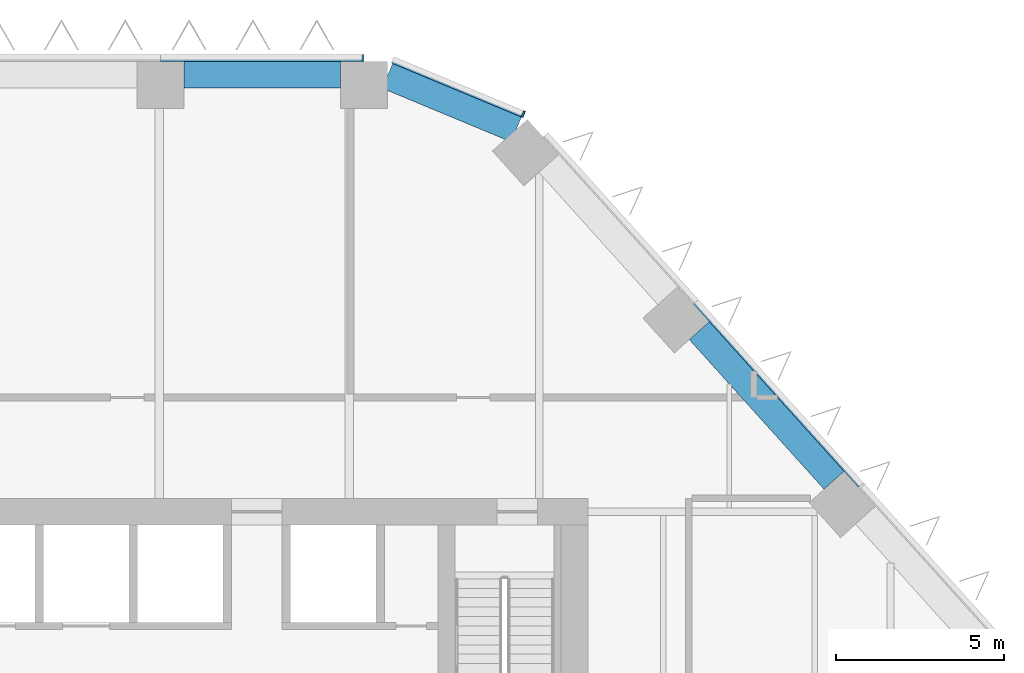
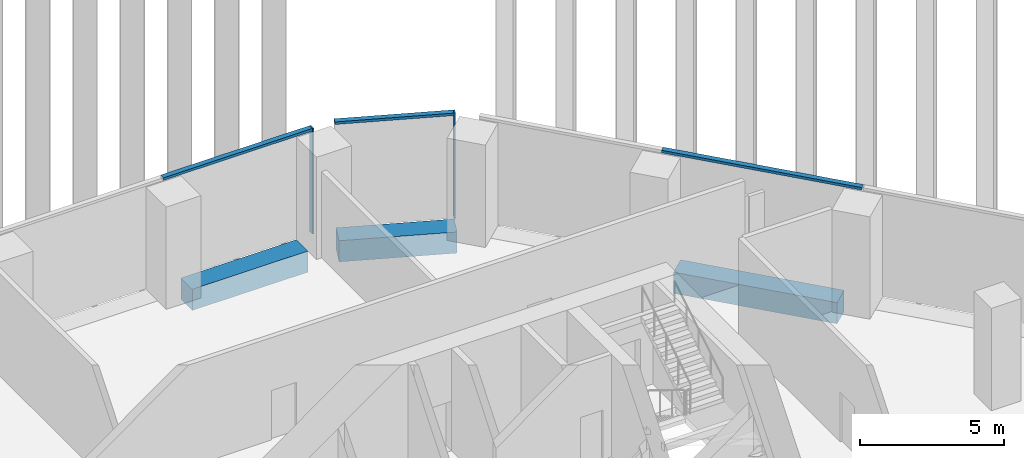
# One storey, part 9 of 18: 5 members, 3 beams, 3 elements without a shape of their own.
"""IFC4 building model written with IfcOpenShell, lengths in metres."""

from ifc_helpers import new_model, si_unit, direction, frame, origin, origin_2d, place, context, subcontext, project, spatial, rectangle, extrude, material, layer, layer_set, material_profile, profile_set, type_object, element, aggregate, save


model = new_model("IFC4")

# Units and contexts
model_context = context("Model", 3, precision=1e-05, world=origin(), true_north=direction((0.0, 1.0)))
body_context = subcontext(model_context, "Body", "Model", "MODEL_VIEW")
ifc_project = project(units=[si_unit("LENGTHUNIT", "METRE"), si_unit("AREAUNIT", "SQUARE_METRE"), si_unit("VOLUMEUNIT", "CUBIC_METRE"), si_unit("PLANEANGLEUNIT", "RADIAN"), si_unit("MASSUNIT", "GRAM", prefix="KILO")], contexts=[model_context])

# Site, building, storey
site_placement = place(None, origin())
site = spatial("IfcSite", under=ifc_project, at=site_placement, CompositionType="ELEMENT")
building_placement = place(site_placement, origin())
building = spatial("IfcBuilding", under=site, at=building_placement, Name="Isthmus Gate Tower", CompositionType="ELEMENT")
storey_placement = place(building_placement, frame((0.0, 0.0, 166.300048828125)))
storey = spatial("IfcBuildingStorey", under=building, at=storey_placement, Name="L41", CompositionType="ELEMENT", Elevation=166.300048828125)

# Curtain wall, member
ifc_material_1 = material(Name="Aluminium, pale champagne anodised", Category="aluminium")
ifc_layer = layer(ifc_material_1, 0.199951171875)
ifc_layer_set = layer_set([ifc_layer], Name="CW-2 LOUVRE CURTAIN WALL 200 DEEP")
curtain_wall_type = type_object("IfcCurtainWallType", Name="CW-2 LOUVRE CURTAIN WALL 200 DEEP", PredefinedType="NOTDEFINED", material=ifc_layer_set)
curtain_wall_1_placement = place(storey_placement, origin())
curtain_wall_1 = element("IfcCurtainWall", 1, at=curtain_wall_1_placement, inside=storey, type_object=curtain_wall_type, Name="CW-2 N L41", PredefinedType="NOTDEFINED")
ifc_material_2 = material(Name="Aluminium, pale champagne anodised", Category="aluminium")
ifc_material_profile_1 = material_profile(ifc_material_2, rectangle(XDim=0.06005859375, YDim=0.199951171875, at=origin_2d()), Name="60x200")
ifc_profile_set_1 = profile_set([ifc_material_profile_1], Name="Aluminium, pale champagne anodised")
member_type_1 = type_object("IfcMemberType", Name="CW-2 MULLION 60 X 200", PredefinedType="MULLION", material=ifc_profile_set_1)
member_1_placement = place(storey_placement, frame((8.30859375, 28.10009765625, 0.0), z_axis=(0.0, 0.0, 1.0), x_axis=(-1.0, 0.0, 0.0)))
member_1 = element("IfcMember", 2, at=member_1_placement, type_object=member_type_1, Name="CW-2 mullion", PredefinedType="MULLION", context=body_context, shape_type="SweptSolid", body=[
    extrude(rectangle(XDim=0.06005859375, YDim=0.199951171875, at=origin_2d()), origin(), (0.0, 0.0, 1.0), 4.5),
])

curtain_wall_2_placement = place(storey_placement, origin())
curtain_wall_2 = element("IfcCurtainWall", 3, at=curtain_wall_2_placement, inside=storey, type_object=curtain_wall_type, Name="CW-2 NE-N L41", PredefinedType="NOTDEFINED")
member_2_placement = place(storey_placement, frame((13.080810546875, 26.427490234375, 0.0), z_axis=(0.0, 0.0, 1.0), x_axis=(-0.923353128387, 0.383951820282, 0.0)))
member_2 = element("IfcMember", 4, at=member_2_placement, type_object=member_type_1, Name="CW-2 mullion", PredefinedType="MULLION", context=body_context, shape_type="SweptSolid", body=[
    extrude(rectangle(XDim=0.06005859375, YDim=0.199951171875, at=origin_2d()), origin(), (0.0, 0.0, 1.0), 4.5),
])

# Member
ifc_material_3 = material(Name="Aluminium, pale champagne anodised", Category="aluminium")
ifc_material_profile_2 = material_profile(ifc_material_3, rectangle(XDim=0.199951171875, YDim=0.110107421875, at=origin_2d()), Name="200x110")
ifc_profile_set_2 = profile_set([ifc_material_profile_2], Name="Aluminium, pale champagne anodised")
member_type_2 = type_object("IfcMemberType", Name="CW-2 TRANSOM 200 X 110", PredefinedType="USERDEFINED", material=ifc_profile_set_2)
member_3_placement = place(storey_placement, frame((8.278564453125, 28.10009765625, 4.445068359375), z_axis=(-1.0, 0.0, 0.0), x_axis=(0.0, -1.0, 0.0)))
member_3 = element("IfcMember", 5, at=member_3_placement, type_object=member_type_2, Name="CW-2 transom", ObjectType="TRANSOM", PredefinedType="USERDEFINED", context=body_context, shape_type="SweptSolid", body=[
    extrude(rectangle(XDim=0.199951171875, YDim=0.110107421875, at=origin_2d()), origin(), (0.0, 0.0, 1.0), 5.990234375),
])

aggregate(curtain_wall_1, [member_1, member_3])

# Curtain wall, member
curtain_wall_3_placement = place(storey_placement, origin())
curtain_wall_3 = element("IfcCurtainWall", 6, at=curtain_wall_3_placement, inside=storey, type_object=curtain_wall_type, Name="CW-2 NE L41", PredefinedType="NOTDEFINED")
member_4_placement = place(storey_placement, frame((23.126708984375, 15.3955078125, 4.445068359375), z_axis=(-0.669137671884, 0.743138463589, 0.0), x_axis=(-0.743138463589, -0.669137671884, 0.0)))
member_4 = element("IfcMember", 7, at=member_4_placement, type_object=member_type_2, Name="CW-2 transom", ObjectType="TRANSOM", PredefinedType="USERDEFINED", context=body_context, shape_type="SweptSolid", body=[
    extrude(rectangle(XDim=0.199951171875, YDim=0.110107421875, at=origin_2d()), origin(), (0.0, 0.0, 1.0), 7.330810546875),
])
aggregate(curtain_wall_3, [member_4])

# Member
member_5_placement = place(storey_placement, frame((13.05322265625, 26.43896484375, 4.445068359375), z_axis=(-0.923358236369, 0.383939536033, 0.0), x_axis=(-0.383939536033, -0.923358236369, 0.0)))
member_5 = element("IfcMember", 8, at=member_5_placement, type_object=member_type_2, Name="CW-2 transom", ObjectType="TRANSOM", PredefinedType="USERDEFINED", context=body_context, shape_type="SweptSolid", body=[
    extrude(rectangle(XDim=0.199951171875, YDim=0.110107421875, at=origin_2d()), origin(), (0.0, 0.0, 1.0), 4.181640625),
])

aggregate(curtain_wall_2, [member_2, member_5])

# Beams
ifc_material_4 = material(Name="Concrete f'c 60 MPa", Category="concrete")
ifc_material_profile_3 = material_profile(ifc_material_4, rectangle(XDim=0.800048828125, YDim=0.89990234375, at=origin_2d()), Name="RC 800X900")
ifc_profile_set_3 = profile_set([ifc_material_profile_3], Name="Concrete f'c 60 MPa")
beam_type = type_object("IfcBeamType", Name="RC SPANDREL 800 X 900", PredefinedType="SPANDREL", material=ifc_profile_set_3)
beam_1_placement = place(storey_placement, frame((9.03857421875, 27.56689453125, -0.449951171875), z_axis=(0.923342835736, -0.383976571805, 0.0), x_axis=(0.383976571805, 0.923342835736, 0.0)))
element("IfcBeam", 9, at=beam_1_placement, inside=storey, type_object=beam_type, Name="str-spandrel-L41-00", PredefinedType="SPANDREL", context=body_context, shape_type="SweptSolid", body=[
    extrude(rectangle(XDim=0.800048828125, YDim=0.89990234375, at=origin_2d()), origin(), (0.0, 0.0, 1.0), 4.152587890625),
])
beam_2_placement = place(storey_placement, frame((18.318359375, 19.988525390625, -0.449951171875), z_axis=(0.669133582923, -0.743142145356, 0.0), x_axis=(0.743142145356, 0.669133582923, 0.0)))
element("IfcBeam", 10, at=beam_2_placement, inside=storey, type_object=beam_type, Name="str-spandrel-L41-02", PredefinedType="SPANDREL", context=body_context, shape_type="SweptSolid", body=[
    extrude(rectangle(XDim=0.800048828125, YDim=0.89990234375, at=origin_2d()), origin(), (0.0, 0.0, 1.0), 5.99072265625),
])
beam_3_placement = place(storey_placement, frame((2.988525390625, 27.60009765625, -0.449951171875), z_axis=(1.0, 0.0, 0.0), x_axis=(0.0, 1.0, 0.0)))
element("IfcBeam", 11, at=beam_3_placement, inside=storey, type_object=beam_type, Name="str-spandrel-L41-29", PredefinedType="SPANDREL", context=body_context, shape_type="SweptSolid", body=[
    extrude(rectangle(XDim=0.800048828125, YDim=0.89990234375, at=origin_2d()), origin(), (0.0, 0.0, 1.0), 4.650146484375),
])

save(model, "model.ifc")
